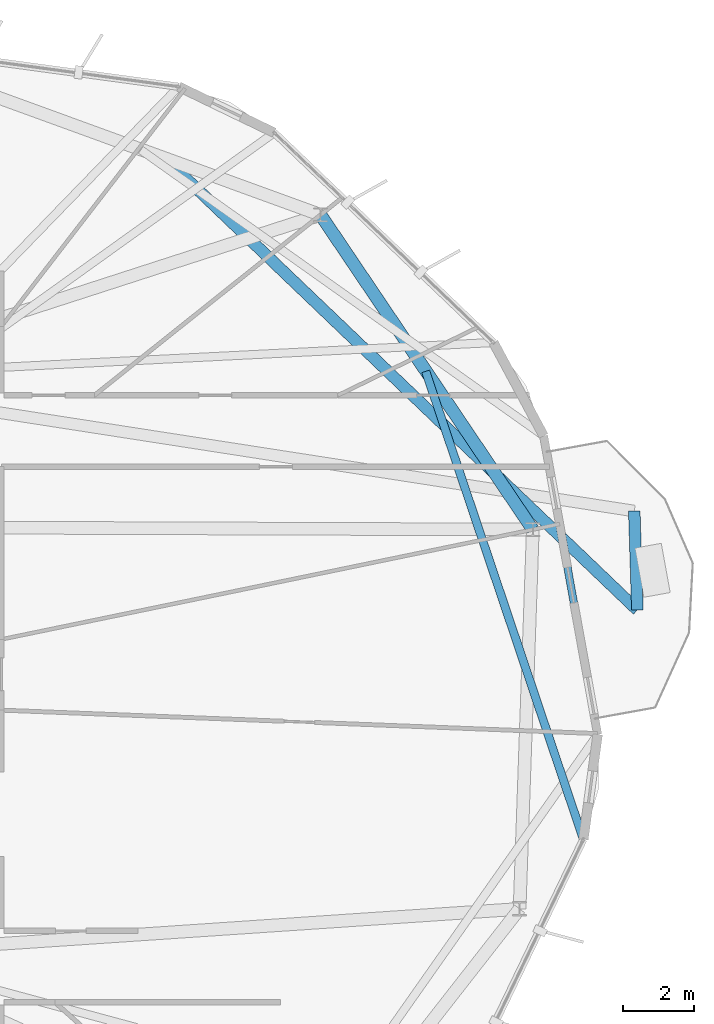
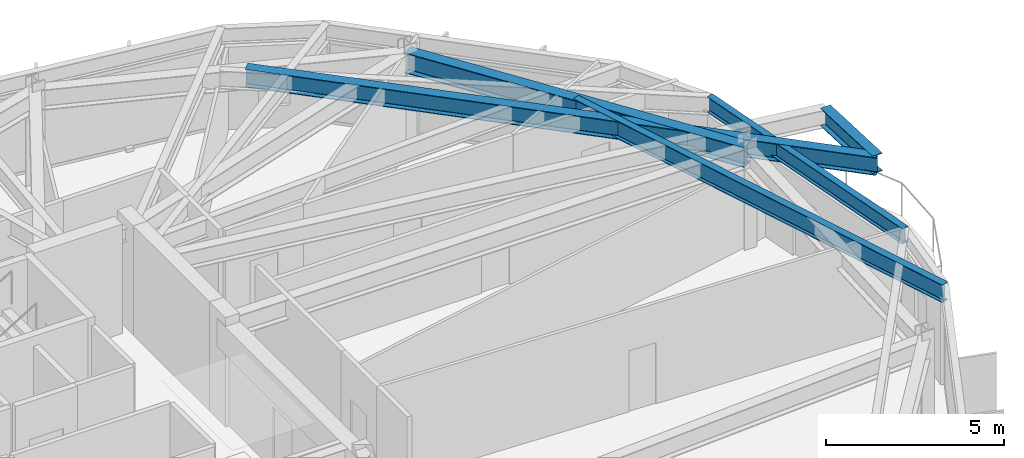
# One storey, part 14 of 26: 5 beams.
"""IFC4 building model written with IfcOpenShell, lengths in metres."""

from ifc_helpers import new_model, si_unit, direction, frame, origin, origin_2d, place, context, subcontext, project, spatial, i_section, extrude, material, material_profile, profile_set, type_object, element, save


model = new_model("IFC4")

# Units and contexts
model_context = context("Model", 3, precision=1e-05, world=origin(), true_north=direction((0.0, 1.0)))
body_context = subcontext(model_context, "Body", "Model", "MODEL_VIEW")
ifc_project = project(units=[si_unit("LENGTHUNIT", "METRE"), si_unit("AREAUNIT", "SQUARE_METRE"), si_unit("VOLUMEUNIT", "CUBIC_METRE"), si_unit("PLANEANGLEUNIT", "RADIAN"), si_unit("MASSUNIT", "GRAM", prefix="KILO")], contexts=[model_context])

# Site, building, storey
site_placement = place(None, origin())
site = spatial("IfcSite", under=ifc_project, at=site_placement, CompositionType="ELEMENT")
building_placement = place(site_placement, origin())
building = spatial("IfcBuilding", under=site, at=building_placement, Name="Soratama Intermodal Tower", CompositionType="ELEMENT")
storey_placement = place(building_placement, frame((0.0, 0.0, 268.75)))
storey = spatial("IfcBuildingStorey", under=building, at=storey_placement, Name="L68", CompositionType="ELEMENT", Elevation=268.75)

# Beams
ifc_material_1 = material(Name="Structural steel ASTM A992 Grade 50", Category="steel")
ifc_material_profile_1 = material_profile(ifc_material_1, i_section(OverallWidth=0.324951171875, OverallDepth=0.615966796875, WebThickness=0.013916015625, FlangeThickness=0.021484375, FilletRadius=0.013916015625, at=origin_2d()), Name="W24X117")
ifc_profile_set_1 = profile_set([ifc_material_profile_1], Name="Structural steel ASTM A992 Grade 50")
beam_type_1 = type_object("IfcBeamType", Name="BM-CANT-W24X117", PredefinedType="BEAM", material=ifc_profile_set_1)
beam_1_placement = place(storey_placement, frame((64.4619140625, 27.487060546875, 3.14208984375), z_axis=(-0.031339187538, 0.999508807027, 0.0), x_axis=(-0.999508807027, -0.031339187538, 0.0)))
element("IfcBeam", 1, at=beam_1_placement, inside=storey, type_object=beam_type_1, Name="BM-L68-CBHDR-1", PredefinedType="BEAM", context=body_context, shape_type="SweptSolid", body=[
    extrude(i_section(OverallWidth=0.324951171875, OverallDepth=0.615966796875, WebThickness=0.013916015625, FlangeThickness=0.021484375, FilletRadius=0.013916015625, at=origin_2d()), origin(), (0.0, 0.0, 1.0), 2.7734375),
])
beam_2_placement = place(storey_placement, frame((51.257080078125, 40.114013671875, 3.14208984375), z_axis=(0.722744581806, -0.691115236028, 0.0), x_axis=(0.691115236028, 0.722744581806, 0.0)))
element("IfcBeam", 2, at=beam_2_placement, inside=storey, type_object=beam_type_1, Name="BM-L68-CANT-1-1", PredefinedType="BEAM", context=body_context, shape_type="SweptSolid", body=[
    extrude(i_section(OverallWidth=0.324951171875, OverallDepth=0.615966796875, WebThickness=0.013916015625, FlangeThickness=0.021484375, FilletRadius=0.013916015625, at=origin_2d()), origin(), (0.0, 0.0, 1.0), 18.2705078125),
])
ifc_material_2 = material(Name="Structural steel ASTM A992 Grade 50", Category="steel")
ifc_material_profile_2 = material_profile(ifc_material_2, i_section(OverallWidth=0.35498046875, OverallDepth=0.695068359375, WebThickness=0.015380859375, FlangeThickness=0.02490234375, FilletRadius=0.01611328125, at=origin_2d()), Name="W27X146")
ifc_profile_set_2 = profile_set([ifc_material_profile_2], Name="Structural steel ASTM A992 Grade 50")
beam_type_2 = type_object("IfcBeamType", Name="BM-RING-W27X146", PredefinedType="BEAM", material=ifc_profile_set_2)
beam_3_placement = place(storey_placement, frame((61.533935546875, 29.740966796875, 3.1025390625), z_axis=(-0.559218025165, 0.829020627204, 0.0), x_axis=(-0.829020627204, -0.559218025165, 0.0)))
element("IfcBeam", 3, at=beam_3_placement, inside=storey, type_object=beam_type_2, Name="BM-L68-RING-01", PredefinedType="BEAM", context=body_context, shape_type="SweptSolid", body=[
    extrude(i_section(OverallWidth=0.35498046875, OverallDepth=0.695068359375, WebThickness=0.015380859375, FlangeThickness=0.02490234375, FilletRadius=0.01611328125, at=origin_2d()), origin(), (0.0, 0.0, 1.0), 10.630615234375),
])
ifc_material_3 = material(Name="Structural steel ASTM A992 Grade 50", Category="steel")
ifc_material_profile_3 = material_profile(ifc_material_3, i_section(OverallWidth=0.2099609375, OverallDepth=0.537109375, WebThickness=0.010986328125, FlangeThickness=0.017333984375, FilletRadius=0.012939453125, at=origin_2d()), Name="W21X68")
ifc_profile_set_3 = profile_set([ifc_material_profile_3], Name="Structural steel ASTM A992 Grade 50")
beam_type_3 = type_object("IfcBeamType", Name="BM-SPN-W21X68", PredefinedType="SPANDREL", material=ifc_profile_set_3)
beam_4_placement = place(storey_placement, frame((63.35107421875, 24.0029296875, 3.181396484375), z_axis=(-0.178137221637, 0.984005655607, 0.0), x_axis=(-0.984005655607, -0.178137221637, 0.0)))
element("IfcBeam", 4, at=beam_4_placement, inside=storey, type_object=beam_type_3, Name="BS-L68-F09", PredefinedType="SPANDREL", context=body_context, shape_type="SweptSolid", body=[
    extrude(i_section(OverallWidth=0.2099609375, OverallDepth=0.537109375, WebThickness=0.010986328125, FlangeThickness=0.017333984375, FilletRadius=0.012939453125, at=origin_2d()), origin(), (0.0, 0.0, 1.0), 8.5),
])
ifc_material_4 = material(Name="Structural steel ASTM A992 Grade 50", Category="steel")
ifc_material_profile_4 = material_profile(ifc_material_4, i_section(OverallWidth=0.22900390625, OverallDepth=0.612060546875, WebThickness=0.011962890625, FlangeThickness=0.01953125, FilletRadius=0.012939453125, at=origin_2d()), Name="W24X84")
ifc_profile_set_4 = profile_set([ifc_material_profile_4], Name="Structural steel ASTM A992 Grade 50")
beam_type_4 = type_object("IfcBeamType", Name="BM-TIE-W24X84", PredefinedType="BEAM", material=ifc_profile_set_4)
beam_5_placement = place(storey_placement, frame((58.531982421875, 34.172119140625, 3.14404296875), z_axis=(0.319429078314, -0.947610185639, 0.0), x_axis=(0.947610185639, 0.319429078314, 0.0)))
element("IfcBeam", 5, at=beam_5_placement, inside=storey, type_object=beam_type_4, Name="BM-L68-TIE1-08", PredefinedType="BEAM", context=body_context, shape_type="SweptSolid", body=[
    extrude(i_section(OverallWidth=0.22900390625, OverallDepth=0.612060546875, WebThickness=0.011962890625, FlangeThickness=0.01953125, FilletRadius=0.012939453125, at=origin_2d()), origin(), (0.0, 0.0, 1.0), 13.833984375),
])

save(model, "model.ifc")
